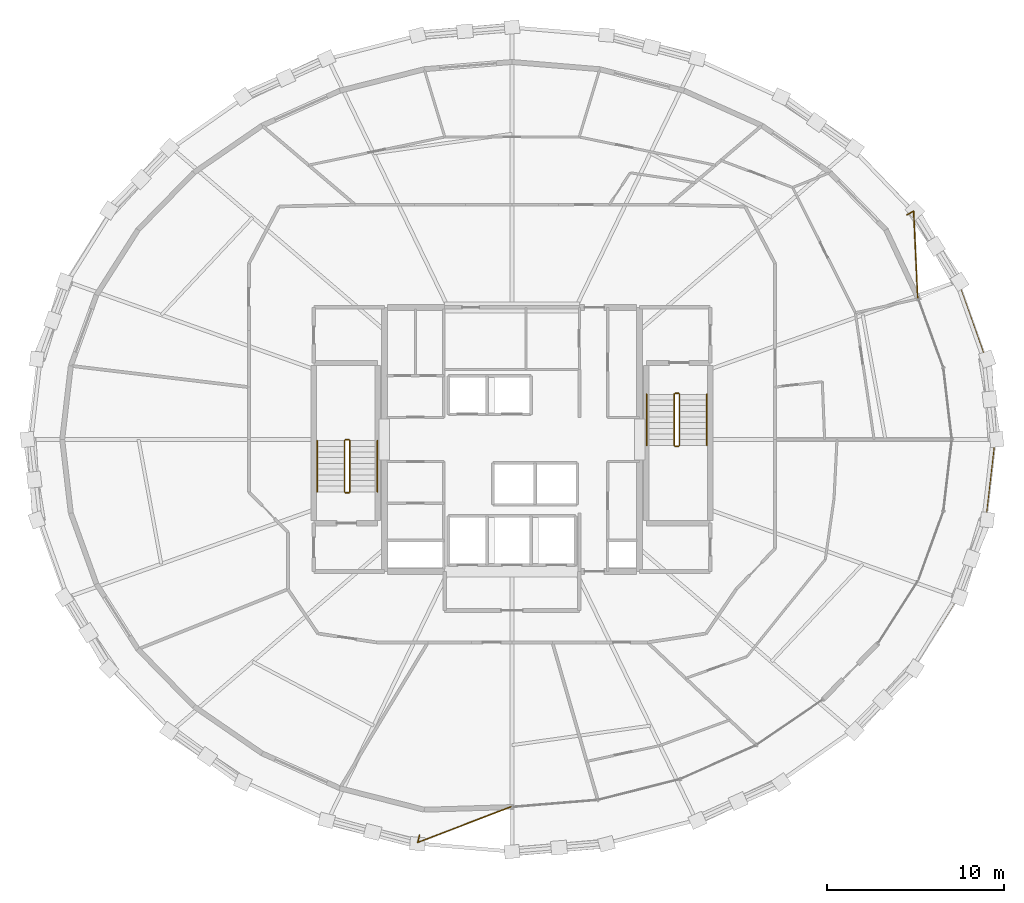
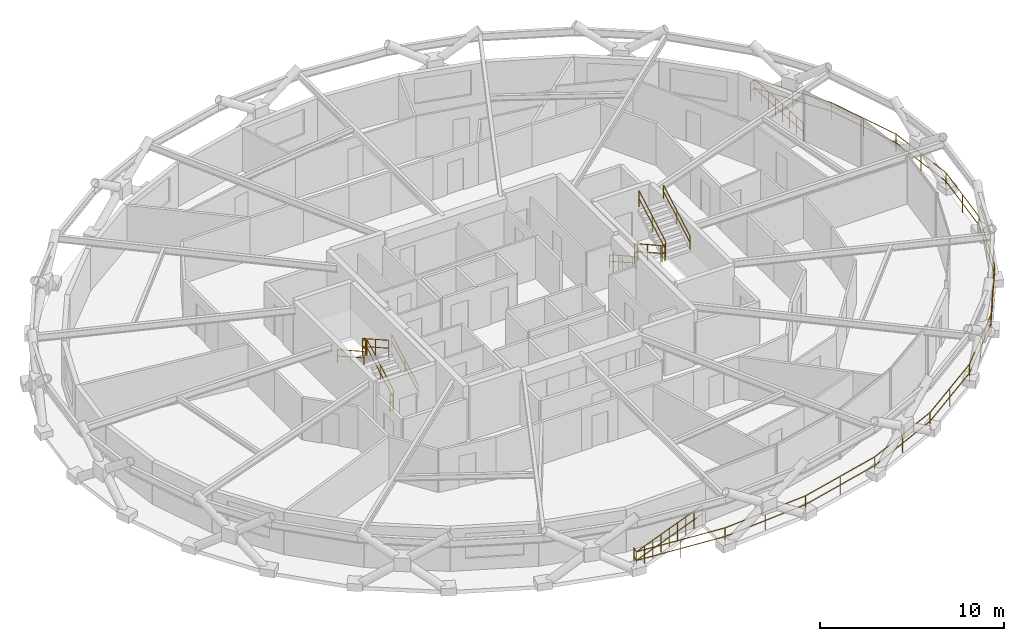
# One storey, part 16 of 16: 15 railings.
"""IFC4 building model written with IfcOpenShell, lengths in metres."""

import ifcopenshell
import ifcopenshell.guid

model = None  # the IFC model being written
_history = None  # IfcOwnerHistory: only IFC2X3 demands one
_inside = {}  # id of a spatial element -> (the spatial element, [elements in it])
_under = {}  # id of a project, library or spatial element -> (it, [spatial elements below it])
_declared = {}  # id of a project -> (the project, [libraries it declares])
_typed = {}  # id of a type object -> (the type object, [elements of that type])
_made_of = {}  # id of a material, layer set ... -> (it, [elements and type objects made of it])


def new_model(schema):
    """Start an empty IFC model of exactly this schema.

    Asked for "IFC4X3", IfcOpenShell would pick the latest addendum, in which some entities
    have other attributes; the version numbers below select the first issue.
    IFC2X3 requires an IfcOwnerHistory on every rooted entity: one is made here for all.
    """
    global model, _history
    if schema == "IFC4X3":
        model = ifcopenshell.file(schema_version=(4, 3, 0, 0))
    else:
        model = ifcopenshell.file(schema=schema)
    _inside.clear()
    _under.clear()
    _declared.clear()
    _typed.clear()
    _made_of.clear()
    _history = None
    if model.schema == "IFC2X3":
        org = make("IfcOrganization", Name="unknown")
        user = make(
            "IfcPersonAndOrganization",
            ThePerson=make("IfcPerson", FamilyName="unknown"),
            TheOrganization=org,
        )
        app = make(
            "IfcApplication",
            ApplicationDeveloper=org,
            Version="unknown",
            ApplicationFullName="unknown",
            ApplicationIdentifier="unknown",
        )
        _history = make(
            "IfcOwnerHistory",
            OwningUser=user,
            OwningApplication=app,
            ChangeAction="ADDED",
            CreationDate=0,
        )
    return model


def make(cls, **values):
    """One entity of the class cls with the attributes given. An attribute that is None is left unset."""
    return model.create_entity(
        cls, **{name: value for name, value in values.items() if value is not None}
    )


def rooted(cls, **values):
    """An entity with a GlobalId (a new one), such as an element, a storey or a relation."""
    return make(cls, GlobalId=ifcopenshell.guid.new(), OwnerHistory=_history, **values)


def si_unit(unit_type, name, prefix=None):
    """IfcSIUnit, for example si_unit("LENGTHUNIT", "METRE", prefix="MILLI")."""
    return make("IfcSIUnit", UnitType=unit_type, Prefix=prefix, Name=name)


def assignment(units):
    """IfcUnitAssignment: the units of a project."""
    return None if units is None else make("IfcUnitAssignment", Units=units)


def point(xyz):
    """IfcCartesianPoint."""
    return None if xyz is None else make("IfcCartesianPoint", Coordinates=xyz)


def direction(xyz):
    """IfcDirection."""
    return None if xyz is None else make("IfcDirection", DirectionRatios=xyz)


def frame(location, z_axis=None, x_axis=None):
    """IfcAxis2Placement3D, a coordinate frame: its origin and axes. An axis left out is left unset."""
    return make(
        "IfcAxis2Placement3D",
        Location=point(location),
        Axis=direction(z_axis),
        RefDirection=direction(x_axis),
    )


def frame_2d(location, x_axis=None):
    """IfcAxis2Placement2D, a coordinate frame in the plane: its origin and x axis."""
    return make(
        "IfcAxis2Placement2D", Location=point(location), RefDirection=direction(x_axis)
    )


def origin():
    """The frame at (0, 0, 0) with its axes left unset."""
    return frame((0.0, 0.0, 0.0))


def origin_2d():
    """The frame at (0, 0) in the plane with its x axis left unset."""
    return frame_2d((0.0, 0.0))


def place(relative_to, where):
    """IfcLocalPlacement: puts the frame where relative to a parent placement (None: the world)."""
    return make(
        "IfcLocalPlacement", PlacementRelTo=relative_to, RelativePlacement=where
    )


def context(
    kind, dimensions, precision=None, world=None, true_north=None, identifier=None
):
    """IfcGeometricRepresentationContext, for example the 3D "Model" context."""
    return make(
        "IfcGeometricRepresentationContext",
        ContextIdentifier=identifier,
        ContextType=kind,
        CoordinateSpaceDimension=dimensions,
        Precision=precision,
        WorldCoordinateSystem=world,
        TrueNorth=true_north,
    )


def subcontext(parent, identifier, kind, view, scale=None):
    """IfcGeometricRepresentationSubContext, for example "Body" below "Model"."""
    return make(
        "IfcGeometricRepresentationSubContext",
        ContextIdentifier=identifier,
        ContextType=kind,
        ParentContext=parent,
        TargetScale=scale,
        TargetView=view,
    )


def project(units=None, contexts=None):
    """IfcProject with its units and contexts."""
    return rooted(
        "IfcProject",
        Name="project",
        RepresentationContexts=contexts,
        UnitsInContext=assignment(units),
    )


def spatial(cls, under=None, at=None, **own):
    """A site, building, storey or space (cls), placed at a placement, below another one or the project."""
    s = rooted(cls, ObjectPlacement=at, **own)
    if under is not None:
        _under.setdefault(under.id(), (under, []))[1].append(s)
    return s


def profile(cls, at=None, kind="AREA", **sizes):
    """A parametric profile (cls). Its sizes go by their IFC names, for example OverallWidth=200.0."""
    return make(cls, ProfileType=kind, Position=at, **sizes)


def circle(**sizes):
    """IfcCircleProfileDef."""
    return profile("IfcCircleProfileDef", **sizes)


def extrude(swept, where, along, depth):
    """IfcExtrudedAreaSolid: the profile swept, set in the frame where, extruded along a direction by depth."""
    return make(
        "IfcExtrudedAreaSolid",
        SweptArea=swept,
        Position=where,
        ExtrudedDirection=direction(along),
        Depth=depth,
    )


def shape(context_of_items, identifier, shape_type, items):
    """IfcShapeRepresentation: the items that make up one representation, for example the "Body"."""
    return make(
        "IfcShapeRepresentation",
        ContextOfItems=context_of_items,
        RepresentationIdentifier=identifier,
        RepresentationType=shape_type,
        Items=items,
    )


def material(Name=None, Category=None):
    """IfcMaterial."""
    return make("IfcMaterial", Name=Name, Category=Category)


def made_of(thing, what):
    """Note that an element or type object is made of a material, layer set ...; save() writes the relation."""
    if what is not None:
        _made_of.setdefault(what.id(), (what, []))[1].append(thing)
    return thing


def type_object(cls, material=None, **own):
    """A type object (cls), such as IfcWallType, which elements share."""
    return made_of(rooted(cls, **own), material)


def element(
    cls,
    number,
    at=None,
    inside=None,
    cuts=None,
    type_object=None,
    material=None,
    context=None,
    identifier="Body",
    shape_type=None,
    held_by="IfcProductDefinitionShape",
    body=None,
    shapes=None,
    **own,
):
    """One element of the class cls, such as IfcWall. Its Tag is "e" and its number.

    at: its placement. inside: the storey or other place that contains it. cuts: it is an
    opening in that element (IfcRelVoidsElement). A single representation is given by context,
    identifier, shape_type and body (its items); several are given by shapes. held_by: the class
    of the entity that holds the representations. save() writes the other relations.
    """
    e = rooted(cls, Tag="e%d" % number, ObjectPlacement=at, **own)
    if body is not None:
        shapes = [shape(context, identifier, shape_type, body)]
    if shapes is not None:
        e.Representation = make(held_by, Representations=shapes)
    if inside is not None:
        _inside.setdefault(inside.id(), (inside, []))[1].append(e)
    if cuts is not None:
        rooted(
            "IfcRelVoidsElement", RelatingBuildingElement=cuts, RelatedOpeningElement=e
        )
    if type_object is not None:
        _typed.setdefault(type_object.id(), (type_object, []))[1].append(e)
    return made_of(e, material)


def aggregate(whole, parts):
    """IfcRelAggregates: a whole, such as a stair, and the parts it consists of."""
    return rooted("IfcRelAggregates", RelatingObject=whole, RelatedObjects=parts)


def save(model, path):
    """Write the relations noted so far, then the file.

    IfcRelAggregates (storeys below a building ...), IfcRelContainedInSpatialStructure (elements
    in a storey), IfcRelDefinesByType, IfcRelAssociatesMaterial and IfcRelDeclares: one each for
    every whole, place, type object, material and project.
    """
    for whole, parts in _under.values():
        aggregate(whole, parts)
    for where, things in _inside.values():
        rooted(
            "IfcRelContainedInSpatialStructure",
            RelatedElements=things,
            RelatingStructure=where,
        )
    for kind, things in _typed.values():
        rooted("IfcRelDefinesByType", RelatedObjects=things, RelatingType=kind)
    for what, things in _made_of.values():
        rooted("IfcRelAssociatesMaterial", RelatedObjects=things, RelatingMaterial=what)
    for by, libraries in _declared.values():
        rooted("IfcRelDeclares", RelatingContext=by, RelatedDefinitions=libraries)
    model.write(path)


model = new_model("IFC4")

# Units and contexts
model_context = context("Model", 3, precision=1e-05, world=origin(), true_north=direction((0.0, 1.0)))
body_context = subcontext(model_context, "Body", "Model", "MODEL_VIEW")
ifc_project = project(units=[si_unit("LENGTHUNIT", "METRE"), si_unit("AREAUNIT", "SQUARE_METRE"), si_unit("VOLUMEUNIT", "CUBIC_METRE"), si_unit("PLANEANGLEUNIT", "RADIAN"), si_unit("MASSUNIT", "GRAM", prefix="KILO")], contexts=[model_context])

# Site, building, storey
site_placement = place(None, origin())
site = spatial("IfcSite", under=ifc_project, at=site_placement, CompositionType="ELEMENT")
building_placement = place(site_placement, origin())
building = spatial("IfcBuilding", under=site, at=building_placement, Name="Veldorina Hangang Commons", CompositionType="ELEMENT")
storey_placement = place(building_placement, frame((0.0, 0.0, 185.60009765625)))
storey = spatial("IfcBuildingStorey", under=building, at=storey_placement, Name="L48", CompositionType="ELEMENT", Elevation=185.60009765625)

# Railings
ifc_material_1 = material(Name="Glass Laminated Safety Balustrade", Category="glass")
railing_type_1 = type_object("IfcRailingType", Name="RL-BAL-LOGGIA", PredefinedType="BALUSTRADE", material=ifc_material_1)
railing_1_placement = place(storey_placement, frame((26.779296875, 1.67041015625, 0.0)))
element("IfcRailing", 1, at=railing_1_placement, inside=storey, type_object=railing_type_1, Name="L48 sky-garden loggia end balustrade A", PredefinedType="BALUSTRADE", context=body_context, shape_type="SweptSolid", body=[
    extrude(circle(Radius=0.02392578125, at=origin_2d()), frame((0.0, 0.0, 1.17578125), z_axis=(-0.227192878503, -0.973849781002, 0.0), x_axis=(0.973849781002, -0.227192878503, 0.0)), (0.0, 0.0, 1.0), 0.420166015625),
    extrude(circle(Radius=0.02392578125, at=origin_2d()), frame((0.0, 0.0, 0.60009765625), z_axis=(-0.227192878503, -0.973849781002, 0.0), x_axis=(0.973849781002, -0.227192878503, 0.0)), (0.0, 0.0, 1.0), 0.420166015625),
    extrude(circle(Radius=0.02392578125, at=origin_2d()), frame((-0.095458984375, -0.4091796875, 1.17578125), z_axis=(0.933904897955, 0.357521526032, 0.0), x_axis=(-0.357521526032, 0.933904897955, 0.0)), (0.0, 0.0, 1.0), 5.6923828125),
    extrude(circle(Radius=0.02392578125, at=origin_2d()), frame((-0.095458984375, -0.4091796875, 0.60009765625), z_axis=(0.933904897955, 0.357521526032, 0.0), x_axis=(-0.357521526032, 0.933904897955, 0.0)), (0.0, 0.0, 1.0), 5.6923828125),
    extrude(circle(Radius=0.02099609375, at=origin_2d()), origin(), (0.0, 0.0, 1.0), 1.15185546875),
    extrude(circle(Radius=0.02099609375, at=origin_2d()), frame((-0.095458984375, -0.4091796875, 0.0)), (0.0, 0.0, 1.0), 1.15185546875),
    extrude(circle(Radius=0.02099609375, at=origin_2d()), frame((0.569091796875, -0.15478515625, 0.0)), (0.0, 0.0, 1.0), 1.15185546875),
    extrude(circle(Radius=0.02099609375, at=origin_2d()), frame((1.233642578125, 0.099609375, 0.0)), (0.0, 0.0, 1.0), 1.15185546875),
    extrude(circle(Radius=0.02099609375, at=origin_2d()), frame((1.898193359375, 0.35400390625, 0.0)), (0.0, 0.0, 1.0), 1.15185546875),
    extrude(circle(Radius=0.02099609375, at=origin_2d()), frame((2.5625, 0.6083984375, 0.0)), (0.0, 0.0, 1.0), 1.15185546875),
    extrude(circle(Radius=0.02099609375, at=origin_2d()), frame((3.22705078125, 0.86279296875, 0.0)), (0.0, 0.0, 1.0), 1.15185546875),
    extrude(circle(Radius=0.02099609375, at=origin_2d()), frame((3.8916015625, 1.1171875, 0.0)), (0.0, 0.0, 1.0), 1.15185546875),
    extrude(circle(Radius=0.02099609375, at=origin_2d()), frame((4.55615234375, 1.37158203125, 0.0)), (0.0, 0.0, 1.0), 1.15185546875),
    extrude(circle(Radius=0.02099609375, at=origin_2d()), frame((5.220703125, 1.6259765625, 0.0)), (0.0, 0.0, 1.0), 1.15185546875),
])
railing_2_placement = place(storey_placement, frame((54.300537109375, 36.677490234375, 0.0)))
element("IfcRailing", 2, at=railing_2_placement, inside=storey, type_object=railing_type_1, Name="L48 sky-garden loggia end balustrade B", PredefinedType="BALUSTRADE", context=body_context, shape_type="SweptSolid", body=[
    extrude(circle(Radius=0.02392578125, at=origin_2d()), frame((0.0, 0.0, 1.17578125), z_axis=(0.869456557393, 0.49400940761, 0.0), x_axis=(-0.49400940761, 0.869456557393, 0.0)), (0.0, 0.0, 1.0), 0.420166015625),
    extrude(circle(Radius=0.02392578125, at=origin_2d()), frame((0.0, 0.0, 0.60009765625), z_axis=(0.869456557393, 0.49400940761, 0.0), x_axis=(-0.49400940761, 0.869456557393, 0.0)), (0.0, 0.0, 1.0), 0.420166015625),
    extrude(circle(Radius=0.02392578125, at=origin_2d()), frame((0.365234375, 0.20751953125, 1.17578125), z_axis=(0.046366695741, -0.998924486398, 0.0), x_axis=(0.998924486398, 0.046366695741, 0.0)), (0.0, 0.0, 1.0), 4.96533203125),
    extrude(circle(Radius=0.02392578125, at=origin_2d()), frame((0.365234375, 0.20751953125, 0.60009765625), z_axis=(0.046366695741, -0.998924486398, 0.0), x_axis=(0.998924486398, 0.046366695741, 0.0)), (0.0, 0.0, 1.0), 4.96533203125),
    extrude(circle(Radius=0.02099609375, at=origin_2d()), origin(), (0.0, 0.0, 1.0), 1.15185546875),
    extrude(circle(Radius=0.02099609375, at=origin_2d()), frame((0.365234375, 0.20751953125, 0.0)), (0.0, 0.0, 1.0), 1.15185546875),
    extrude(circle(Radius=0.02099609375, at=origin_2d()), frame((0.398193359375, -0.5009765625, 0.0)), (0.0, 0.0, 1.0), 1.15185546875),
    extrude(circle(Radius=0.02099609375, at=origin_2d()), frame((0.430908203125, -1.209716796875, 0.0)), (0.0, 0.0, 1.0), 1.15185546875),
    extrude(circle(Radius=0.02099609375, at=origin_2d()), frame((0.4638671875, -1.918212890625, 0.0)), (0.0, 0.0, 1.0), 1.15185546875),
    extrude(circle(Radius=0.02099609375, at=origin_2d()), frame((0.496826171875, -2.626708984375, 0.0)), (0.0, 0.0, 1.0), 1.15185546875),
    extrude(circle(Radius=0.02099609375, at=origin_2d()), frame((0.52978515625, -3.335205078125, 0.0)), (0.0, 0.0, 1.0), 1.15185546875),
    extrude(circle(Radius=0.02099609375, at=origin_2d()), frame((0.5625, -4.0439453125, 0.0)), (0.0, 0.0, 1.0), 1.15185546875),
    extrude(circle(Radius=0.02099609375, at=origin_2d()), frame((0.595458984375, -4.75244140625, 0.0)), (0.0, 0.0, 1.0), 1.15185546875),
])
railing_3_placement = place(storey_placement, frame((26.683837890625, 1.26123046875, 0.0)))
element("IfcRailing", 3, at=railing_3_placement, inside=storey, type_object=railing_type_1, Name="L48 sky-garden loggia outer balustrade", PredefinedType="BALUSTRADE", context=body_context, shape_type="SweptSolid", body=[
    extrude(circle(Radius=0.02392578125, at=origin_2d()), frame((0.0, 0.0, 1.17578125), z_axis=(0.996517611426, -0.083382552837, 0.0), x_axis=(0.083382552837, 0.996517611426, 0.0)), (0.0, 0.0, 1.0), 5.334716796875),
    extrude(circle(Radius=0.02392578125, at=origin_2d()), frame((0.0, 0.0, 0.60009765625), z_axis=(0.996517611426, -0.083382552837, 0.0), x_axis=(0.083382552837, 0.996517611426, 0.0)), (0.0, 0.0, 1.0), 5.334716796875),
    extrude(circle(Radius=0.02392578125, at=origin_2d()), frame((5.316162109375, -0.44482421875, 1.17578125), z_axis=(0.996517611426, 0.083382552837, 0.0), x_axis=(-0.083382552837, 0.996517611426, 0.0)), (0.0, 0.0, 1.0), 5.334716796875),
    extrude(circle(Radius=0.02392578125, at=origin_2d()), frame((5.316162109375, -0.44482421875, 0.60009765625), z_axis=(0.996517611426, 0.083382552837, 0.0), x_axis=(-0.083382552837, 0.996517611426, 0.0)), (0.0, 0.0, 1.0), 5.334716796875),
    extrude(circle(Radius=0.02392578125, at=origin_2d()), frame((10.63232421875, 0.0, 1.17578125), z_axis=(0.968348741146, 0.249601112821, 0.0), x_axis=(-0.249601112821, 0.968348741146, 0.0)), (0.0, 0.0, 1.0), 5.280029296875),
    extrude(circle(Radius=0.02392578125, at=origin_2d()), frame((10.63232421875, 0.0, 0.60009765625), z_axis=(0.968348741146, 0.249601112821, 0.0), x_axis=(-0.249601112821, 0.968348741146, 0.0)), (0.0, 0.0, 1.0), 5.280029296875),
    extrude(circle(Radius=0.02392578125, at=origin_2d()), frame((15.7451171875, 1.31787109375, 1.17578125), z_axis=(0.910464980394, 0.413586169347, 0.0), x_axis=(-0.413586169347, 0.910464980394, 0.0)), (0.0, 0.0, 1.0), 5.17626953125),
    extrude(circle(Radius=0.02392578125, at=origin_2d()), frame((15.7451171875, 1.31787109375, 0.60009765625), z_axis=(0.910464980394, 0.413586169347, 0.0), x_axis=(-0.413586169347, 0.910464980394, 0.0)), (0.0, 0.0, 1.0), 5.17626953125),
    extrude(circle(Radius=0.02392578125, at=origin_2d()), frame((20.4580078125, 3.458740234375, 1.17578125), z_axis=(0.820182482435, 0.572101997468, 0.0), x_axis=(-0.572101997468, 0.820182482435, 0.0)), (0.0, 0.0, 1.0), 5.03759765625),
    extrude(circle(Radius=0.02392578125, at=origin_2d()), frame((20.4580078125, 3.458740234375, 0.60009765625), z_axis=(0.820182482435, 0.572101997468, 0.0), x_axis=(-0.572101997468, 0.820182482435, 0.0)), (0.0, 0.0, 1.0), 5.03759765625),
    extrude(circle(Radius=0.02392578125, at=origin_2d()), frame((24.58984375, 6.3408203125, 1.17578125), z_axis=(0.694624848262, 0.719372170839, 0.0), x_axis=(-0.719372170839, 0.694624848262, 0.0)), (0.0, 0.0, 1.0), 4.88330078125),
    extrude(circle(Radius=0.02392578125, at=origin_2d()), frame((24.58984375, 6.3408203125, 0.60009765625), z_axis=(0.694624848262, 0.719372170839, 0.0), x_axis=(-0.719372170839, 0.694624848262, 0.0)), (0.0, 0.0, 1.0), 4.88330078125),
    extrude(circle(Radius=0.02392578125, at=origin_2d()), frame((27.98193359375, 9.853759765625, 1.17578125), z_axis=(0.53229084623, 0.846561548276, 0.0), x_axis=(-0.846561548276, 0.53229084623, 0.0)), (0.0, 0.0, 1.0), 4.735595703125),
    extrude(circle(Radius=0.02392578125, at=origin_2d()), frame((27.98193359375, 9.853759765625, 0.60009765625), z_axis=(0.53229084623, 0.846561548276, 0.0), x_axis=(-0.846561548276, 0.53229084623, 0.0)), (0.0, 0.0, 1.0), 4.735595703125),
    extrude(circle(Radius=0.02392578125, at=origin_2d()), frame((30.502685546875, 13.86279296875, 1.17578125), z_axis=(0.336071895581, 0.941836334509, 0.0), x_axis=(-0.941836334509, 0.336071895581, 0.0)), (0.0, 0.0, 1.0), 4.61962890625),
    extrude(circle(Radius=0.02392578125, at=origin_2d()), frame((30.502685546875, 13.86279296875, 0.60009765625), z_axis=(0.336071895581, 0.941836334509, 0.0), x_axis=(-0.941836334509, 0.336071895581, 0.0)), (0.0, 0.0, 1.0), 4.61962890625),
    extrude(circle(Radius=0.02392578125, at=origin_2d()), frame((32.05517578125, 18.213623046875, 1.17578125), z_axis=(0.11511840395, 0.993351777102, 0.0), x_axis=(-0.993351777102, 0.11511840395, 0.0)), (0.0, 0.0, 1.0), 4.555419921875),
    extrude(circle(Radius=0.02392578125, at=origin_2d()), frame((32.05517578125, 18.213623046875, 0.60009765625), z_axis=(0.11511840395, 0.993351777102, 0.0), x_axis=(-0.993351777102, 0.11511840395, 0.0)), (0.0, 0.0, 1.0), 4.555419921875),
    extrude(circle(Radius=0.02392578125, at=origin_2d()), frame((32.57958984375, 22.73876953125, 1.17578125), z_axis=(-0.11511840395, 0.993351777102, 0.0), x_axis=(-0.993351777102, -0.11511840395, 0.0)), (0.0, 0.0, 1.0), 4.555419921875),
    extrude(circle(Radius=0.02392578125, at=origin_2d()), frame((32.57958984375, 22.73876953125, 0.60009765625), z_axis=(-0.11511840395, 0.993351777102, 0.0), x_axis=(-0.993351777102, -0.11511840395, 0.0)), (0.0, 0.0, 1.0), 4.555419921875),
    extrude(circle(Radius=0.02392578125, at=origin_2d()), frame((32.05517578125, 27.263916015625, 1.17578125), z_axis=(-0.336071895581, 0.941836334509, 0.0), x_axis=(-0.941836334509, -0.336071895581, 0.0)), (0.0, 0.0, 1.0), 4.61962890625),
    extrude(circle(Radius=0.02392578125, at=origin_2d()), frame((32.05517578125, 27.263916015625, 0.60009765625), z_axis=(-0.336071895581, 0.941836334509, 0.0), x_axis=(-0.941836334509, -0.336071895581, 0.0)), (0.0, 0.0, 1.0), 4.61962890625),
    extrude(circle(Radius=0.02392578125, at=origin_2d()), frame((30.502685546875, 31.61474609375, 1.17578125), z_axis=(-0.53229084623, 0.846561548276, 0.0), x_axis=(-0.846561548276, -0.53229084623, 0.0)), (0.0, 0.0, 1.0), 4.735595703125),
    extrude(circle(Radius=0.02392578125, at=origin_2d()), frame((30.502685546875, 31.61474609375, 0.60009765625), z_axis=(-0.53229084623, 0.846561548276, 0.0), x_axis=(-0.846561548276, -0.53229084623, 0.0)), (0.0, 0.0, 1.0), 4.735595703125),
    extrude(circle(Radius=0.02099609375, at=origin_2d()), origin(), (0.0, 0.0, 1.0), 1.15185546875),
    extrude(circle(Radius=0.02099609375, at=origin_2d()), frame((2.658203125, -0.222412109375, 0.0)), (0.0, 0.0, 1.0), 1.15185546875),
    extrude(circle(Radius=0.02099609375, at=origin_2d()), frame((5.316162109375, -0.44482421875, 0.0)), (0.0, 0.0, 1.0), 1.15185546875),
    extrude(circle(Radius=0.02099609375, at=origin_2d()), frame((7.97412109375, -0.222412109375, 0.0)), (0.0, 0.0, 1.0), 1.15185546875),
    extrude(circle(Radius=0.02099609375, at=origin_2d()), frame((10.63232421875, 0.0, 0.0)), (0.0, 0.0, 1.0), 1.15185546875),
    extrude(circle(Radius=0.02099609375, at=origin_2d()), frame((13.188720703125, 0.658935546875, 0.0)), (0.0, 0.0, 1.0), 1.15185546875),
    extrude(circle(Radius=0.02099609375, at=origin_2d()), frame((15.7451171875, 1.31787109375, 0.0)), (0.0, 0.0, 1.0), 1.15185546875),
    extrude(circle(Radius=0.02099609375, at=origin_2d()), frame((18.1015625, 2.38818359375, 0.0)), (0.0, 0.0, 1.0), 1.15185546875),
    extrude(circle(Radius=0.02099609375, at=origin_2d()), frame((20.4580078125, 3.458740234375, 0.0)), (0.0, 0.0, 1.0), 1.15185546875),
    extrude(circle(Radius=0.02099609375, at=origin_2d()), frame((22.52392578125, 4.89990234375, 0.0)), (0.0, 0.0, 1.0), 1.15185546875),
    extrude(circle(Radius=0.02099609375, at=origin_2d()), frame((24.58984375, 6.3408203125, 0.0)), (0.0, 0.0, 1.0), 1.15185546875),
    extrude(circle(Radius=0.02099609375, at=origin_2d()), frame((26.285888671875, 8.09716796875, 0.0)), (0.0, 0.0, 1.0), 1.15185546875),
    extrude(circle(Radius=0.02099609375, at=origin_2d()), frame((27.98193359375, 9.853759765625, 0.0)), (0.0, 0.0, 1.0), 1.15185546875),
    extrude(circle(Radius=0.02099609375, at=origin_2d()), frame((29.2421875, 11.8583984375, 0.0)), (0.0, 0.0, 1.0), 1.15185546875),
    extrude(circle(Radius=0.02099609375, at=origin_2d()), frame((30.502685546875, 13.86279296875, 0.0)), (0.0, 0.0, 1.0), 1.15185546875),
    extrude(circle(Radius=0.02099609375, at=origin_2d()), frame((31.27880859375, 16.0380859375, 0.0)), (0.0, 0.0, 1.0), 1.15185546875),
    extrude(circle(Radius=0.02099609375, at=origin_2d()), frame((32.05517578125, 18.213623046875, 0.0)), (0.0, 0.0, 1.0), 1.15185546875),
    extrude(circle(Radius=0.02099609375, at=origin_2d()), frame((32.3173828125, 20.47607421875, 0.0)), (0.0, 0.0, 1.0), 1.15185546875),
    extrude(circle(Radius=0.02099609375, at=origin_2d()), frame((32.57958984375, 22.73876953125, 0.0)), (0.0, 0.0, 1.0), 1.15185546875),
    extrude(circle(Radius=0.02099609375, at=origin_2d()), frame((32.3173828125, 25.00146484375, 0.0)), (0.0, 0.0, 1.0), 1.15185546875),
    extrude(circle(Radius=0.02099609375, at=origin_2d()), frame((32.05517578125, 27.263916015625, 0.0)), (0.0, 0.0, 1.0), 1.15185546875),
    extrude(circle(Radius=0.02099609375, at=origin_2d()), frame((31.27880859375, 29.439453125, 0.0)), (0.0, 0.0, 1.0), 1.15185546875),
    extrude(circle(Radius=0.02099609375, at=origin_2d()), frame((30.502685546875, 31.61474609375, 0.0)), (0.0, 0.0, 1.0), 1.15185546875),
    extrude(circle(Radius=0.02099609375, at=origin_2d()), frame((29.2421875, 33.619140625, 0.0)), (0.0, 0.0, 1.0), 1.15185546875),
    extrude(circle(Radius=0.02099609375, at=origin_2d()), frame((27.98193359375, 35.623779296875, 0.0)), (0.0, 0.0, 1.0), 1.15185546875),
])
ifc_material_2 = material(Name="Steel Painted Balustrade", Category="steel")
railing_type_2 = type_object("IfcRailingType", Name="RL-GRD-STAIR", PredefinedType="GUARDRAIL", material=ifc_material_2)
railing_4_placement = place(storey_placement, frame((22.85009765625, 21.050048828125, 0.179931640625)))
element("IfcRailing", 4, at=railing_4_placement, inside=storey, type_object=railing_type_2, Name="L48 ST-1 stair guard 1", PredefinedType="GUARDRAIL", context=body_context, shape_type="SweptSolid", body=[
    extrude(circle(Radius=0.02392578125, at=origin_2d()), frame((0.0, 0.0, 1.076171875), z_axis=(0.0, 0.871583430097, 0.490247207417), x_axis=(-1.0, 0.0, 0.0)), (0.0, 0.0, 1.0), 3.30419921875),
    extrude(circle(Radius=0.02392578125, at=origin_2d()), frame((0.0, 0.0, 0.550048828125), z_axis=(0.0, 0.871583430097, 0.490247207417), x_axis=(-1.0, 0.0, 0.0)), (0.0, 0.0, 1.0), 3.30419921875),
    extrude(circle(Radius=0.02099609375, at=origin_2d()), origin(), (0.0, 0.0, 1.0), 1.052001953125),
    extrude(circle(Radius=0.02099609375, at=origin_2d()), frame((0.0, 1.43994140625, 0.81005859375)), (0.0, 0.0, 1.0), 1.052001953125),
    extrude(circle(Radius=0.02099609375, at=origin_2d()), frame((0.0, 2.8798828125, 1.619873046875)), (0.0, 0.0, 1.0), 1.052001953125),
])
railing_5_placement = place(storey_placement, frame((22.800048828125, 23.97998046875, 1.7998046875)))
element("IfcRailing", 5, at=railing_5_placement, inside=storey, type_object=railing_type_2, Name="L48 ST-1 stair guard 2", PredefinedType="GUARDRAIL", context=body_context, shape_type="SweptSolid", body=[
    extrude(circle(Radius=0.02392578125, at=origin_2d()), frame((0.0, 0.0, 1.076171875), z_axis=(-1.0, 0.0, 0.0), x_axis=(0.0, -1.0, 0.0)), (0.0, 0.0, 1.0), 0.199951171875),
    extrude(circle(Radius=0.02392578125, at=origin_2d()), frame((0.0, 0.0, 0.550048828125), z_axis=(-1.0, 0.0, 0.0), x_axis=(0.0, -1.0, 0.0)), (0.0, 0.0, 1.0), 0.199951171875),
    extrude(circle(Radius=0.02099609375, at=origin_2d()), origin(), (0.0, 0.0, 1.0), 1.052001953125),
    extrude(circle(Radius=0.02099609375, at=origin_2d()), frame((-0.199951171875, 0.0, 0.0)), (0.0, 0.0, 1.0), 1.052001953125),
])
railing_6_placement = place(storey_placement, frame((22.550048828125, 23.929931640625, 1.97998046875)))
element("IfcRailing", 6, at=railing_6_placement, inside=storey, type_object=railing_type_2, Name="L48 ST-1 stair guard 3", PredefinedType="GUARDRAIL", context=body_context, shape_type="SweptSolid", body=[
    extrude(circle(Radius=0.02392578125, at=origin_2d()), frame((0.0, 0.0, 1.076171875), z_axis=(0.0, -0.871583430097, 0.490247207417), x_axis=(1.0, 0.0, 0.0)), (0.0, 0.0, 1.0), 3.30419921875),
    extrude(circle(Radius=0.02392578125, at=origin_2d()), frame((0.0, 0.0, 0.550048828125), z_axis=(0.0, -0.871583430097, 0.490247207417), x_axis=(1.0, 0.0, 0.0)), (0.0, 0.0, 1.0), 3.30419921875),
    extrude(circle(Radius=0.02099609375, at=origin_2d()), origin(), (0.0, 0.0, 1.0), 1.052001953125),
    extrude(circle(Radius=0.02099609375, at=origin_2d()), frame((0.0, -1.43994140625, 0.81005859375)), (0.0, 0.0, 1.0), 1.052001953125),
    extrude(circle(Radius=0.02099609375, at=origin_2d()), frame((0.0, -2.8798828125, 1.619873046875)), (0.0, 0.0, 1.0), 1.052001953125),
])
railing_7_placement = place(storey_placement, frame((22.800048828125, 21.0, 0.0)))
element("IfcRailing", 7, at=railing_7_placement, inside=storey, type_object=railing_type_2, Name="L48 ST-1 stair guard 4", PredefinedType="GUARDRAIL", context=body_context, shape_type="SweptSolid", body=[
    extrude(circle(Radius=0.02392578125, at=origin_2d()), frame((0.0, 0.0, 1.076171875), z_axis=(-1.0, 0.0, 0.0), x_axis=(0.0, -1.0, 0.0)), (0.0, 0.0, 1.0), 0.199951171875),
    extrude(circle(Radius=0.02392578125, at=origin_2d()), frame((0.0, 0.0, 0.550048828125), z_axis=(-1.0, 0.0, 0.0), x_axis=(0.0, -1.0, 0.0)), (0.0, 0.0, 1.0), 0.199951171875),
    extrude(circle(Radius=0.02099609375, at=origin_2d()), origin(), (0.0, 0.0, 1.0), 1.052001953125),
    extrude(circle(Radius=0.02099609375, at=origin_2d()), frame((-0.199951171875, 0.0, 0.0)), (0.0, 0.0, 1.0), 1.052001953125),
])
railing_8_placement = place(storey_placement, frame((41.14990234375, 26.550048828125, 0.179931640625)))
element("IfcRailing", 8, at=railing_8_placement, inside=storey, type_object=railing_type_2, Name="L48 ST-2 stair guard 1", PredefinedType="GUARDRAIL", context=body_context, shape_type="SweptSolid", body=[
    extrude(circle(Radius=0.02392578125, at=origin_2d()), frame((0.0, 0.0, 1.076171875), z_axis=(0.0, -0.871601186807, 0.490215637405), x_axis=(1.0, 0.0, 0.0)), (0.0, 0.0, 1.0), 3.304443359375),
    extrude(circle(Radius=0.02392578125, at=origin_2d()), frame((0.0, 0.0, 0.550048828125), z_axis=(0.0, -0.871601186807, 0.490215637405), x_axis=(1.0, 0.0, 0.0)), (0.0, 0.0, 1.0), 3.304443359375),
    extrude(circle(Radius=0.02099609375, at=origin_2d()), origin(), (0.0, 0.0, 1.0), 1.052001953125),
    extrude(circle(Radius=0.02099609375, at=origin_2d()), frame((0.0, -1.43994140625, 0.81005859375)), (0.0, 0.0, 1.0), 1.052001953125),
    extrude(circle(Radius=0.02099609375, at=origin_2d()), frame((0.0, -2.880126953125, 1.619873046875)), (0.0, 0.0, 1.0), 1.052001953125),
])
railing_9_placement = place(storey_placement, frame((41.199951171875, 23.6201171875, 1.7998046875)))
element("IfcRailing", 9, at=railing_9_placement, inside=storey, type_object=railing_type_2, Name="L48 ST-2 stair guard 2", PredefinedType="GUARDRAIL", context=body_context, shape_type="SweptSolid", body=[
    extrude(circle(Radius=0.02392578125, at=origin_2d()), frame((0.0, 0.0, 1.076171875), z_axis=(1.0, 0.0, 0.0), x_axis=(0.0, 1.0, 0.0)), (0.0, 0.0, 1.0), 0.199951171875),
    extrude(circle(Radius=0.02392578125, at=origin_2d()), frame((0.0, 0.0, 0.550048828125), z_axis=(1.0, 0.0, 0.0), x_axis=(0.0, 1.0, 0.0)), (0.0, 0.0, 1.0), 0.199951171875),
    extrude(circle(Radius=0.02099609375, at=origin_2d()), origin(), (0.0, 0.0, 1.0), 1.052001953125),
    extrude(circle(Radius=0.02099609375, at=origin_2d()), frame((0.199951171875, 0.0, 0.0)), (0.0, 0.0, 1.0), 1.052001953125),
])
railing_10_placement = place(storey_placement, frame((41.449951171875, 23.669921875, 1.97998046875)))
element("IfcRailing", 10, at=railing_10_placement, inside=storey, type_object=railing_type_2, Name="L48 ST-2 stair guard 3", PredefinedType="GUARDRAIL", context=body_context, shape_type="SweptSolid", body=[
    extrude(circle(Radius=0.02392578125, at=origin_2d()), frame((0.0, 0.0, 1.076171875), z_axis=(0.0, 0.871601186807, 0.490215637405), x_axis=(-1.0, 0.0, 0.0)), (0.0, 0.0, 1.0), 3.304443359375),
    extrude(circle(Radius=0.02392578125, at=origin_2d()), frame((0.0, 0.0, 0.550048828125), z_axis=(0.0, 0.871601186807, 0.490215637405), x_axis=(-1.0, 0.0, 0.0)), (0.0, 0.0, 1.0), 3.304443359375),
    extrude(circle(Radius=0.02099609375, at=origin_2d()), origin(), (0.0, 0.0, 1.0), 1.052001953125),
    extrude(circle(Radius=0.02099609375, at=origin_2d()), frame((0.0, 1.43994140625, 0.81005859375)), (0.0, 0.0, 1.0), 1.052001953125),
    extrude(circle(Radius=0.02099609375, at=origin_2d()), frame((0.0, 2.880126953125, 1.619873046875)), (0.0, 0.0, 1.0), 1.052001953125),
])
railing_11_placement = place(storey_placement, frame((41.199951171875, 26.60009765625, 0.0)))
element("IfcRailing", 11, at=railing_11_placement, inside=storey, type_object=railing_type_2, Name="L48 ST-2 stair guard 4", PredefinedType="GUARDRAIL", context=body_context, shape_type="SweptSolid", body=[
    extrude(circle(Radius=0.02392578125, at=origin_2d()), frame((0.0, 0.0, 1.076171875), z_axis=(1.0, 0.0, 0.0), x_axis=(0.0, 1.0, 0.0)), (0.0, 0.0, 1.0), 0.199951171875),
    extrude(circle(Radius=0.02392578125, at=origin_2d()), frame((0.0, 0.0, 0.550048828125), z_axis=(1.0, 0.0, 0.0), x_axis=(0.0, 1.0, 0.0)), (0.0, 0.0, 1.0), 0.199951171875),
    extrude(circle(Radius=0.02099609375, at=origin_2d()), origin(), (0.0, 0.0, 1.0), 1.052001953125),
    extrude(circle(Radius=0.02099609375, at=origin_2d()), frame((0.199951171875, 0.0, 0.0)), (0.0, 0.0, 1.0), 1.052001953125),
])
ifc_material_3 = material(Name="Stainless Steel Brushed 316", Category="steel")
railing_type_3 = type_object("IfcRailingType", Name="RL-HND-STAIR", PredefinedType="HANDRAIL", material=ifc_material_3)
railing_12_placement = place(storey_placement, frame((24.39990234375, 21.050048828125, 0.179931640625)))
element("IfcRailing", 12, at=railing_12_placement, inside=storey, type_object=railing_type_3, Name="L48 ST-1 stair handrail 1", PredefinedType="HANDRAIL", context=body_context, shape_type="SweptSolid", body=[
    extrude(circle(Radius=0.02392578125, at=origin_2d()), frame((0.0, 0.0, 0.8759765625), z_axis=(0.0, 0.871583430097, 0.490247207417), x_axis=(-1.0, 0.0, 0.0)), (0.0, 0.0, 1.0), 3.30419921875),
    extrude(circle(Radius=0.02392578125, at=origin_2d()), frame((0.0, 0.0, 0.449951171875), z_axis=(0.0, 0.871583430097, 0.490247207417), x_axis=(-1.0, 0.0, 0.0)), (0.0, 0.0, 1.0), 3.30419921875),
    extrude(circle(Radius=0.02099609375, at=origin_2d()), origin(), (0.0, 0.0, 1.0), 0.851806640625),
    extrude(circle(Radius=0.02099609375, at=origin_2d()), frame((0.0, 1.43994140625, 0.81005859375)), (0.0, 0.0, 1.0), 0.851806640625),
    extrude(circle(Radius=0.02099609375, at=origin_2d()), frame((0.0, 2.8798828125, 1.619873046875)), (0.0, 0.0, 1.0), 0.851806640625),
])
railing_13_placement = place(storey_placement, frame((21.0, 23.929931640625, 1.97998046875)))
element("IfcRailing", 13, at=railing_13_placement, inside=storey, type_object=railing_type_3, Name="L48 ST-1 stair handrail 2", PredefinedType="HANDRAIL", context=body_context, shape_type="SweptSolid", body=[
    extrude(circle(Radius=0.02392578125, at=origin_2d()), frame((0.0, 0.0, 0.8759765625), z_axis=(0.0, -0.871583430097, 0.490247207417), x_axis=(1.0, 0.0, 0.0)), (0.0, 0.0, 1.0), 3.30419921875),
    extrude(circle(Radius=0.02392578125, at=origin_2d()), frame((0.0, 0.0, 0.449951171875), z_axis=(0.0, -0.871583430097, 0.490247207417), x_axis=(1.0, 0.0, 0.0)), (0.0, 0.0, 1.0), 3.30419921875),
    extrude(circle(Radius=0.02099609375, at=origin_2d()), origin(), (0.0, 0.0, 1.0), 0.851806640625),
    extrude(circle(Radius=0.02099609375, at=origin_2d()), frame((0.0, -1.43994140625, 0.81005859375)), (0.0, 0.0, 1.0), 0.851806640625),
    extrude(circle(Radius=0.02099609375, at=origin_2d()), frame((0.0, -2.8798828125, 1.619873046875)), (0.0, 0.0, 1.0), 0.851806640625),
])
railing_14_placement = place(storey_placement, frame((39.60009765625, 26.550048828125, 0.179931640625)))
element("IfcRailing", 14, at=railing_14_placement, inside=storey, type_object=railing_type_3, Name="L48 ST-2 stair handrail 1", PredefinedType="HANDRAIL", context=body_context, shape_type="SweptSolid", body=[
    extrude(circle(Radius=0.02392578125, at=origin_2d()), frame((0.0, 0.0, 0.8759765625), z_axis=(0.0, -0.871601186807, 0.490215637405), x_axis=(1.0, 0.0, 0.0)), (0.0, 0.0, 1.0), 3.304443359375),
    extrude(circle(Radius=0.02392578125, at=origin_2d()), frame((0.0, 0.0, 0.449951171875), z_axis=(0.0, -0.871601186807, 0.490215637405), x_axis=(1.0, 0.0, 0.0)), (0.0, 0.0, 1.0), 3.304443359375),
    extrude(circle(Radius=0.02099609375, at=origin_2d()), origin(), (0.0, 0.0, 1.0), 0.851806640625),
    extrude(circle(Radius=0.02099609375, at=origin_2d()), frame((0.0, -1.43994140625, 0.81005859375)), (0.0, 0.0, 1.0), 0.851806640625),
    extrude(circle(Radius=0.02099609375, at=origin_2d()), frame((0.0, -2.880126953125, 1.619873046875)), (0.0, 0.0, 1.0), 0.851806640625),
])
railing_15_placement = place(storey_placement, frame((43.0, 23.669921875, 1.97998046875)))
element("IfcRailing", 15, at=railing_15_placement, inside=storey, type_object=railing_type_3, Name="L48 ST-2 stair handrail 2", PredefinedType="HANDRAIL", context=body_context, shape_type="SweptSolid", body=[
    extrude(circle(Radius=0.02392578125, at=origin_2d()), frame((0.0, 0.0, 0.8759765625), z_axis=(0.0, 0.871601186807, 0.490215637405), x_axis=(-1.0, 0.0, 0.0)), (0.0, 0.0, 1.0), 3.304443359375),
    extrude(circle(Radius=0.02392578125, at=origin_2d()), frame((0.0, 0.0, 0.449951171875), z_axis=(0.0, 0.871601186807, 0.490215637405), x_axis=(-1.0, 0.0, 0.0)), (0.0, 0.0, 1.0), 3.304443359375),
    extrude(circle(Radius=0.02099609375, at=origin_2d()), origin(), (0.0, 0.0, 1.0), 0.851806640625),
    extrude(circle(Radius=0.02099609375, at=origin_2d()), frame((0.0, 1.43994140625, 0.81005859375)), (0.0, 0.0, 1.0), 0.851806640625),
    extrude(circle(Radius=0.02099609375, at=origin_2d()), frame((0.0, 2.880126953125, 1.619873046875)), (0.0, 0.0, 1.0), 0.851806640625),
])

save(model, "model.ifc")
